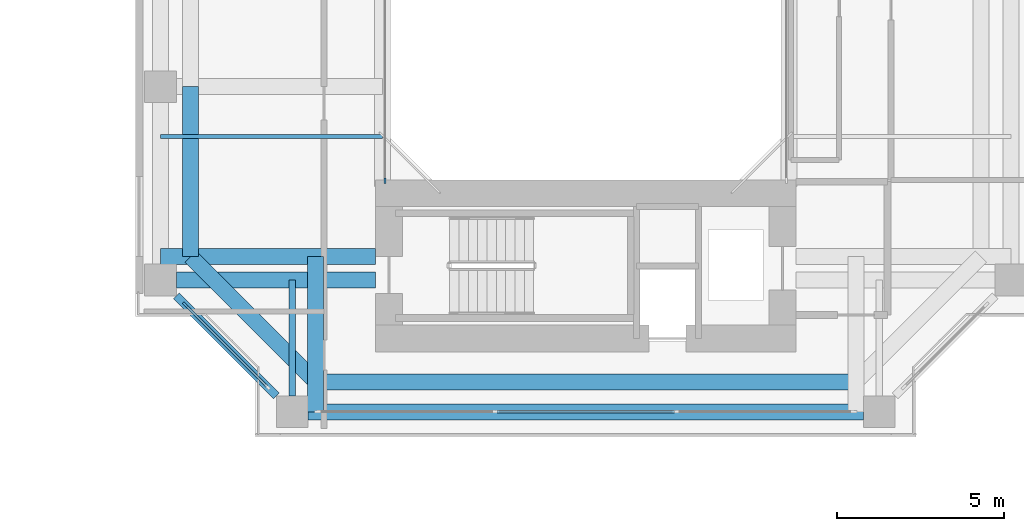
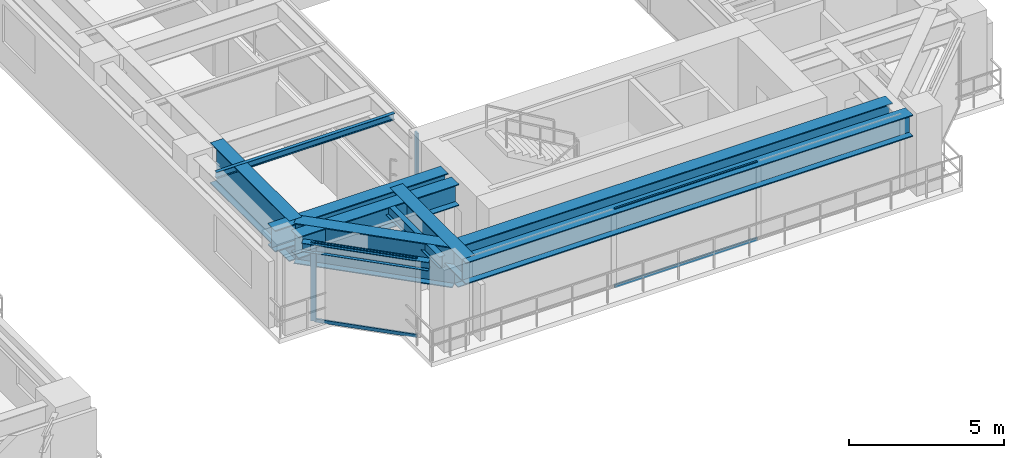
# One storey, part 6 of 23: 10 beams, 6 members, 3 elements without a shape of their own.
"""IFC4 building model written with IfcOpenShell, lengths in metres."""

from ifc_helpers import new_model, si_unit, direction, frame, origin, origin_2d, place, context, subcontext, project, spatial, rectangle, i_section, extrude, source, transform, mapped, material, layer, layer_set, material_profile, profile_set, type_object, element, aggregate, save


model = new_model("IFC4")

# Units and contexts
model_context = context("Model", 3, precision=1e-05, world=origin(), true_north=direction((0.0, 1.0)))
body_context = subcontext(model_context, "Body", "Model", "MODEL_VIEW")
ifc_project = project(units=[si_unit("LENGTHUNIT", "METRE"), si_unit("AREAUNIT", "SQUARE_METRE"), si_unit("VOLUMEUNIT", "CUBIC_METRE"), si_unit("PLANEANGLEUNIT", "RADIAN"), si_unit("MASSUNIT", "GRAM", prefix="KILO"), si_unit("THERMODYNAMICTEMPERATUREUNIT", "KELVIN"), si_unit("POWERUNIT", "WATT")], contexts=[model_context])

# Site, building, storey
site_placement = place(None, origin())
site = spatial("IfcSite", under=ifc_project, at=site_placement, CompositionType="ELEMENT")
building_placement = place(site_placement, origin())
building = spatial("IfcBuilding", under=site, at=building_placement, Name="Qiaomeng Ring Towers", CompositionType="ELEMENT")
storey_placement = place(building_placement, frame((0.0, 0.0, 66.5)))
storey = spatial("IfcBuildingStorey", under=building, at=storey_placement, Name="L18", CompositionType="ELEMENT", Elevation=66.5)

# Beams
ifc_material_1 = material(Name="Steel Q355B", Category="steel")
ifc_material_profile_1 = material_profile(ifc_material_1, i_section(OverallWidth=0.25, OverallDepth=0.340087890625, WebThickness=0.009033203125, FlangeThickness=0.013916015625, FilletRadius=0.02001953125, at=origin_2d()), Name="HM 340x250x9x14")
ifc_profile_set_1 = profile_set([ifc_material_profile_1], Name="Steel Q355B")
beam_type_1 = type_object("IfcBeamType", Name="STR-BM-HM340", PredefinedType="SPANDREL", material=ifc_profile_set_1)
shared_shape_1 = source(origin(), body_context, "Body", "SweptSolid", [
    extrude(i_section(OverallWidth=0.25, OverallDepth=0.340087890625, WebThickness=0.009033203125, FlangeThickness=0.013916015625, FilletRadius=0.02001953125, at=origin_2d()), origin(), (0.0, 0.0, 1.0), 4.244384765625),
])
beam_1_placement = place(storey_placement, frame((48.224365234375, 13.7255859375, 2.89990234375), z_axis=(0.707106781187, -0.707106781187, 0.0), x_axis=(0.707106781187, 0.707106781187, 0.0)))
element("IfcBeam", 1, at=beam_1_placement, inside=storey, type_object=beam_type_1, Name="L18 beam STR-SP-L18-T2-W1-S1", PredefinedType="SPANDREL", context=body_context, shape_type="MappedRepresentation", body=[
    mapped(shared_shape_1, transform((0.0, 0.0, 0.0), x_axis=(1.0, 0.0, 0.0), y_axis=(0.0, 1.0, 0.0), z_axis=(0.0, 0.0, 1.0), scale=1.0)),
])
ifc_material_profile_2 = material_profile(ifc_material_1, i_section(OverallWidth=0.199951171875, OverallDepth=0.449951171875, WebThickness=0.009033203125, FlangeThickness=0.013916015625, FilletRadius=0.01806640625, at=origin_2d()), Name="HN 450x200x9x14")
ifc_profile_set_2 = profile_set([ifc_material_profile_2], Name="Steel Q355B")
beam_type_2 = type_object("IfcBeamType", Name="STR-BM-HN450", PredefinedType="SPANDREL", material=ifc_profile_set_2)
shared_shape_2 = source(origin(), body_context, "Body", "SweptSolid", [
    extrude(i_section(OverallWidth=0.199951171875, OverallDepth=0.449951171875, WebThickness=0.009033203125, FlangeThickness=0.013916015625, FilletRadius=0.01806640625, at=origin_2d()), origin(), (0.0, 0.0, 1.0), 3.475830078125),
])
beam_2_placement = place(storey_placement, frame((51.699951171875, 10.72412109375, 2.844970703125), z_axis=(0.0, 1.0, 0.0), x_axis=(-1.0, 0.0, 0.0)))
element("IfcBeam", 2, at=beam_2_placement, inside=storey, type_object=beam_type_2, Name="L18 beam STR-BM-L18-T2-RAD-S1", PredefinedType="SPANDREL", context=body_context, shape_type="MappedRepresentation", body=[
    mapped(shared_shape_2, transform((0.0, 0.0, 0.0), x_axis=(1.0, 0.0, 0.0), y_axis=(0.0, 1.0, 0.0), z_axis=(0.0, 0.0, 1.0), scale=1.0)),
])
ifc_material_profile_3 = material_profile(ifc_material_1, i_section(OverallWidth=0.125, OverallDepth=0.25, WebThickness=0.006103515625, FlangeThickness=0.009033203125, FilletRadius=0.011962890625, at=origin_2d()), Name="HN 250x125x6x9")
ifc_profile_set_3 = profile_set([ifc_material_profile_3], Name="Steel Q355B")
beam_type_3 = type_object("IfcBeamType", Name="STR-BM-HN250", PredefinedType="JOIST", material=ifc_profile_set_3)
shared_shape_3 = source(origin(), body_context, "Body", "SweptSolid", [
    extrude(i_section(OverallWidth=0.125, OverallDepth=0.25, WebThickness=0.006103515625, FlangeThickness=0.009033203125, FilletRadius=0.011962890625, at=origin_2d()), origin(), (0.0, 0.0, 1.0), 6.64990234375),
])
beam_3_placement = place(storey_placement, frame((47.75, 18.5, 2.945068359375), z_axis=(1.0, 0.0, 0.0), x_axis=(0.0, 1.0, 0.0)))
element("IfcBeam", 3, at=beam_3_placement, inside=storey, type_object=beam_type_3, Name="L18 beam STR-JST-L18-T2W-1", PredefinedType="JOIST", context=body_context, shape_type="MappedRepresentation", body=[
    mapped(shared_shape_3, transform((0.0, 0.0, 0.0), x_axis=(1.0, 0.0, 0.0), y_axis=(0.0, 1.0, 0.0), z_axis=(0.0, 0.0, 1.0), scale=1.0)),
])
ifc_material_2 = material(Name="Steel Q390GJC", Category="steel")
ifc_material_profile_4 = material_profile(ifc_material_2, i_section(OverallWidth=0.47998046875, OverallDepth=0.85009765625, WebThickness=0.02197265625, FlangeThickness=0.035888671875, at=origin_2d()), Name="WH 850x480x22x36")
ifc_profile_set_4 = profile_set([ifc_material_profile_4], Name="Steel Q390GJC")
beam_type_4 = type_object("IfcBeamType", Name="STR-TG-WH850", PredefinedType="USERDEFINED", material=ifc_profile_set_4)
shared_shape_4 = source(origin(), body_context, "Body", "SweptSolid", [
    extrude(i_section(OverallWidth=0.47998046875, OverallDepth=0.85009765625, WebThickness=0.02197265625, FlangeThickness=0.035888671875, at=origin_2d()), origin(), (0.0, 0.0, 1.0), 16.65185546875),
])
beam_4_placement = place(storey_placement, frame((52.174072265625, 10.25, 2.64501953125), z_axis=(1.0, 0.0, 0.0), x_axis=(0.0, 1.0, 0.0)))
element("IfcBeam", 4, at=beam_4_placement, inside=storey, type_object=beam_type_4, Name="L18 Transfer Girder STR-TG3-L18-T2-OUT-S", ObjectType="TRANSFER GIRDER", PredefinedType="USERDEFINED", context=body_context, shape_type="MappedRepresentation", body=[
    mapped(shared_shape_4, transform((0.0, 0.0, 0.0), x_axis=(1.0, 0.0, 0.0), y_axis=(0.0, 1.0, 0.0), z_axis=(0.0, 0.0, 1.0), scale=1.0)),
])
shared_shape_5 = source(origin(), body_context, "Body", "SweptSolid", [
    extrude(i_section(OverallWidth=0.47998046875, OverallDepth=0.85009765625, WebThickness=0.02197265625, FlangeThickness=0.035888671875, at=origin_2d()), origin(), (0.0, 0.0, 1.0), 5.975830078125),
])
beam_5_placement = place(storey_placement, frame((48.22412109375, 14.199951171875, 2.64501953125), z_axis=(1.0, 0.0, 0.0), x_axis=(0.0, 1.0, 0.0)))
element("IfcBeam", 5, at=beam_5_placement, inside=storey, type_object=beam_type_4, Name="L18 Transfer Girder STR-TG3-L18-T2-W1-CUR", ObjectType="TRANSFER GIRDER", PredefinedType="USERDEFINED", context=body_context, shape_type="MappedRepresentation", body=[
    mapped(shared_shape_5, transform((0.0, 0.0, 0.0), x_axis=(1.0, 0.0, 0.0), y_axis=(0.0, 1.0, 0.0), z_axis=(0.0, 0.0, 1.0), scale=1.0)),
])
shared_shape_6 = source(origin(), body_context, "Body", "SweptSolid", [
    extrude(i_section(OverallWidth=0.47998046875, OverallDepth=0.85009765625, WebThickness=0.02197265625, FlangeThickness=0.035888671875, at=origin_2d()), origin(), (0.0, 0.0, 1.0), 6.449951171875),
])
beam_6_placement = place(storey_placement, frame((47.75, 14.89990234375, 2.64501953125), z_axis=(1.0, 0.0, 0.0), x_axis=(0.0, 1.0, 0.0)))
element("IfcBeam", 6, at=beam_6_placement, inside=storey, type_object=beam_type_4, Name="L18 Transfer Girder STR-TG3-L18-T2-W1-NXT", ObjectType="TRANSFER GIRDER", PredefinedType="USERDEFINED", context=body_context, shape_type="MappedRepresentation", body=[
    mapped(shared_shape_6, transform((0.0, 0.0, 0.0), x_axis=(1.0, 0.0, 0.0), y_axis=(0.0, 1.0, 0.0), z_axis=(0.0, 0.0, 1.0), scale=1.0)),
])
shared_shape_7 = source(origin(), body_context, "Body", "SweptSolid", [
    extrude(i_section(OverallWidth=0.47998046875, OverallDepth=0.85009765625, WebThickness=0.02197265625, FlangeThickness=0.035888671875, at=origin_2d()), origin(), (0.0, 0.0, 1.0), 4.64990234375),
])
beam_7_placement = place(storey_placement, frame((52.39990234375, 10.25, 2.64501953125), z_axis=(0.0, 1.0, 0.0), x_axis=(-1.0, 0.0, 0.0)))
element("IfcBeam", 7, at=beam_7_placement, inside=storey, type_object=beam_type_4, Name="L18 Transfer Girder STR-TG3-L18-T2-S1", ObjectType="TRANSFER GIRDER", PredefinedType="USERDEFINED", context=body_context, shape_type="MappedRepresentation", body=[
    mapped(shared_shape_7, transform((0.0, 0.0, 0.0), x_axis=(1.0, 0.0, 0.0), y_axis=(0.0, 1.0, 0.0), z_axis=(0.0, 0.0, 1.0), scale=1.0)),
])
ifc_material_profile_5 = material_profile(ifc_material_2, i_section(OverallWidth=0.47998046875, OverallDepth=1.60009765625, WebThickness=0.02197265625, FlangeThickness=0.035888671875, at=origin_2d()), Name="WH 1600x480x22x36")
ifc_profile_set_5 = profile_set([ifc_material_profile_5], Name="Steel Q390GJC")
beam_type_5 = type_object("IfcBeamType", Name="STR-TG-WH1600", PredefinedType="USERDEFINED", material=ifc_profile_set_5)
shared_shape_8 = source(origin(), body_context, "Body", "SweptSolid", [
    extrude(i_section(OverallWidth=0.47998046875, OverallDepth=1.60009765625, WebThickness=0.02197265625, FlangeThickness=0.035888671875, at=origin_2d()), origin(), (0.0, 0.0, 1.0), 16.2001953125),
])
beam_8_placement = place(storey_placement, frame((52.39990234375, 11.14990234375, 2.27001953125), z_axis=(1.0, 0.0, 0.0), x_axis=(0.0, 1.0, 0.0)))
element("IfcBeam", 8, at=beam_8_placement, inside=storey, type_object=beam_type_5, Name="L18 Transfer Girder STR-TG3-L18-T2-S1-S2", ObjectType="TRANSFER GIRDER", PredefinedType="USERDEFINED", context=body_context, shape_type="MappedRepresentation", body=[
    mapped(shared_shape_8, transform((0.0, 0.0, 0.0), x_axis=(1.0, 0.0, 0.0), y_axis=(0.0, 1.0, 0.0), z_axis=(0.0, 0.0, 1.0), scale=1.0)),
])
shared_shape_9 = source(origin(), body_context, "Body", "SweptSolid", [
    extrude(i_section(OverallWidth=0.47998046875, OverallDepth=1.60009765625, WebThickness=0.02197265625, FlangeThickness=0.035888671875, at=origin_2d()), origin(), (0.0, 0.0, 1.0), 5.30322265625),
])
beam_9_placement = place(storey_placement, frame((48.64990234375, 14.89990234375, 2.27001953125), z_axis=(0.707106781187, -0.707106781187, 0.0), x_axis=(0.707106781187, 0.707106781187, 0.0)))
element("IfcBeam", 9, at=beam_9_placement, inside=storey, type_object=beam_type_5, Name="L18 Transfer Girder STR-TG3-L18-T2-W1-S1", ObjectType="TRANSFER GIRDER", PredefinedType="USERDEFINED", context=body_context, shape_type="MappedRepresentation", body=[
    mapped(shared_shape_9, transform((0.0, 0.0, 0.0), x_axis=(1.0, 0.0, 0.0), y_axis=(0.0, 1.0, 0.0), z_axis=(0.0, 0.0, 1.0), scale=1.0)),
])
shared_shape_10 = source(origin(), body_context, "Body", "SweptSolid", [
    extrude(i_section(OverallWidth=0.47998046875, OverallDepth=1.60009765625, WebThickness=0.02197265625, FlangeThickness=0.035888671875, at=origin_2d()), origin(), (0.0, 0.0, 1.0), 5.10009765625),
])
beam_10_placement = place(storey_placement, frame((48.64990234375, 20.0, 2.27001953125), z_axis=(0.0, -1.0, 0.0), x_axis=(1.0, 0.0, 0.0)))
element("IfcBeam", 10, at=beam_10_placement, inside=storey, type_object=beam_type_5, Name="L18 Transfer Girder STR-TG3-L18-T2-W2-W1", ObjectType="TRANSFER GIRDER", PredefinedType="USERDEFINED", context=body_context, shape_type="MappedRepresentation", body=[
    mapped(shared_shape_10, transform((0.0, 0.0, 0.0), x_axis=(1.0, 0.0, 0.0), y_axis=(0.0, 1.0, 0.0), z_axis=(0.0, 0.0, 1.0), scale=1.0)),
])

# Curtain wall, member
ifc_material_3 = material(Name="Fluorocarbon dark-grey aluminium", Category="aluminium")
ifc_layer_1 = layer(ifc_material_3, 0.139892578125, Name="Fluorocarbon dark-grey aluminium")
ifc_layer_set_1 = layer_set([ifc_layer_1], Name="Fluorocarbon dark-grey aluminium")
curtain_wall_type_1 = type_object("IfcCurtainWallType", Name="ARC-CW-4", PredefinedType="NOTDEFINED", material=ifc_layer_set_1)
curtain_wall_1_placement = place(storey_placement, origin())
curtain_wall_1 = element("IfcCurtainWall", 11, at=curtain_wall_1_placement, inside=storey, type_object=curtain_wall_type_1, Name="L18 Curtain Wall CW4", PredefinedType="NOTDEFINED")
ifc_material_profile_6 = material_profile(ifc_material_3, rectangle(XDim=0.06494140625, YDim=0.159912109375, at=origin_2d()), Name="ALU MULL 65x160")
ifc_profile_set_6 = profile_set([ifc_material_profile_6], Name="Fluorocarbon dark-grey aluminium")
member_type_1 = type_object("IfcMemberType", Name="ARC-CWM-140", PredefinedType="MULLION", material=ifc_profile_set_6)
shared_shape_11 = source(origin(), body_context, "Body", "SweptSolid", [
    extrude(rectangle(XDim=0.06494140625, YDim=0.159912109375, at=origin_2d()), origin(), (0.0, 0.0, 1.0), 3.070068359375),
])
member_1_placement = place(storey_placement, frame((54.47998046875, 17.1826171875, 0.0), z_axis=(0.0, 0.0, 1.0), x_axis=(-1.0, 0.0, 0.0)))
member_1 = element("IfcMember", 12, at=member_1_placement, type_object=member_type_1, Name="CW4 mullion 1", PredefinedType="MULLION", context=body_context, shape_type="MappedRepresentation", body=[
    mapped(shared_shape_11, transform((0.0, 0.0, 0.0), x_axis=(1.0, 0.0, 0.0), y_axis=(0.0, 1.0, 0.0), z_axis=(0.0, 0.0, 1.0), scale=1.0)),
])
aggregate(curtain_wall_1, [member_1])

ifc_layer_2 = layer(ifc_material_3, 0.14990234375, Name="Fluorocarbon dark-grey aluminium")
ifc_layer_set_2 = layer_set([ifc_layer_2], Name="Fluorocarbon dark-grey aluminium")
curtain_wall_type_2 = type_object("IfcCurtainWallType", Name="ARC-CW-5", PredefinedType="NOTDEFINED", material=ifc_layer_set_2)
curtain_wall_2_placement = place(storey_placement, origin())
curtain_wall_2 = element("IfcCurtainWall", 13, at=curtain_wall_2_placement, inside=storey, type_object=curtain_wall_type_2, Name="L18 Curtain Wall CW5", PredefinedType="NOTDEFINED")
ifc_material_profile_7 = material_profile(ifc_material_3, rectangle(XDim=0.070068359375, YDim=0.179931640625, at=origin_2d()), Name="ALU MULL 70x180")
ifc_profile_set_7 = profile_set([ifc_material_profile_7], Name="Fluorocarbon dark-grey aluminium")
member_type_2 = type_object("IfcMemberType", Name="ARC-CWM-160", PredefinedType="MULLION", material=ifc_profile_set_7)
shared_shape_12 = source(origin(), body_context, "Body", "SweptSolid", [
    extrude(rectangle(XDim=0.070068359375, YDim=0.179931640625, at=origin_2d()), origin(), (0.0, 0.0, 1.0), 3.070068359375),
])
member_2_placement = place(storey_placement, frame((48.48974609375, 13.460205078125, 0.0), z_axis=(0.0, 0.0, 1.0), x_axis=(0.707106781187, 0.707106781187, 0.0)))
member_2 = element("IfcMember", 14, at=member_2_placement, type_object=member_type_2, Name="CW5 mullion 1", PredefinedType="MULLION", context=body_context, shape_type="MappedRepresentation", body=[
    mapped(shared_shape_12, transform((0.0, 0.0, 0.0), x_axis=(1.0, 0.0, 0.0), y_axis=(0.0, 1.0, 0.0), z_axis=(0.0, 0.0, 1.0), scale=1.0)),
])

# Curtain wall, members
curtain_wall_3_placement = place(storey_placement, origin())
curtain_wall_3 = element("IfcCurtainWall", 15, at=curtain_wall_3_placement, inside=storey, type_object=curtain_wall_type_2, Name="L18 Curtain Wall CW5", PredefinedType="NOTDEFINED")
ifc_material_profile_8 = material_profile(ifc_material_3, rectangle(XDim=0.06494140625, YDim=0.1298828125, at=origin_2d()), Name="ALU TRAN 65x130")
ifc_profile_set_8 = profile_set([ifc_material_profile_8], Name="Fluorocarbon dark-grey aluminium")
member_type_3 = type_object("IfcMemberType", Name="ARC-CWT-120", PredefinedType="USERDEFINED", material=ifc_profile_set_8)
shared_shape_13 = source(origin(), body_context, "Body", "SweptSolid", [
    extrude(rectangle(XDim=0.06494140625, YDim=0.1298828125, at=origin_2d()), origin(), (0.0, 0.0, 1.0), 5.31982421875),
])
member_3_placement = place(storey_placement, frame((57.840087890625, 10.25, 0.032470703125), z_axis=(1.0, 0.0, 0.0), x_axis=(0.0, 1.0, 0.0)))
member_3 = element("IfcMember", 16, at=member_3_placement, type_object=member_type_3, Name="CW5 transom 2.1", ObjectType="TRANSOM", PredefinedType="USERDEFINED", context=body_context, shape_type="MappedRepresentation", body=[
    mapped(shared_shape_13, transform((0.0, 0.0, 0.0), x_axis=(1.0, 0.0, 0.0), y_axis=(0.0, 1.0, 0.0), z_axis=(0.0, 0.0, 1.0), scale=1.0)),
])
member_4_placement = place(storey_placement, frame((57.840087890625, 10.25, 3.03759765625), z_axis=(1.0, 0.0, 0.0), x_axis=(0.0, 1.0, 0.0)))
member_4 = element("IfcMember", 17, at=member_4_placement, type_object=member_type_3, Name="CW5 transom 2.2", ObjectType="TRANSOM", PredefinedType="USERDEFINED", context=body_context, shape_type="MappedRepresentation", body=[
    mapped(shared_shape_13, transform((0.0, 0.0, 0.0), x_axis=(1.0, 0.0, 0.0), y_axis=(0.0, 1.0, 0.0), z_axis=(0.0, 0.0, 1.0), scale=1.0)),
])
aggregate(curtain_wall_3, [member_3, member_4])

# Member
shared_shape_14 = source(origin(), body_context, "Body", "SweptSolid", [
    extrude(rectangle(XDim=0.06494140625, YDim=0.1298828125, at=origin_2d()), origin(), (0.0, 0.0, 1.0), 3.424072265625),
])
member_5_placement = place(storey_placement, frame((48.514404296875, 13.435546875, 0.032470703125), z_axis=(0.707106781187, -0.707106781187, 0.0), x_axis=(0.707106781187, 0.707106781187, 0.0)))
member_5 = element("IfcMember", 18, at=member_5_placement, type_object=member_type_3, Name="CW5 transom 1.1", ObjectType="TRANSOM", PredefinedType="USERDEFINED", context=body_context, shape_type="MappedRepresentation", body=[
    mapped(shared_shape_14, transform((0.0, 0.0, 0.0), x_axis=(1.0, 0.0, 0.0), y_axis=(0.0, 1.0, 0.0), z_axis=(0.0, 0.0, 1.0), scale=1.0)),
])

member_6_placement = place(storey_placement, frame((48.514404296875, 13.435546875, 3.03759765625), z_axis=(0.707106781187, -0.707106781187, 0.0), x_axis=(0.707106781187, 0.707106781187, 0.0)))
member_6 = element("IfcMember", 19, at=member_6_placement, type_object=member_type_3, Name="CW5 transom 1.2", ObjectType="TRANSOM", PredefinedType="USERDEFINED", context=body_context, shape_type="MappedRepresentation", body=[
    mapped(shared_shape_14, transform((0.0, 0.0, 0.0), x_axis=(1.0, 0.0, 0.0), y_axis=(0.0, 1.0, 0.0), z_axis=(0.0, 0.0, 1.0), scale=1.0)),
])

aggregate(curtain_wall_2, [member_2, member_5, member_6])

save(model, "model.ifc")
